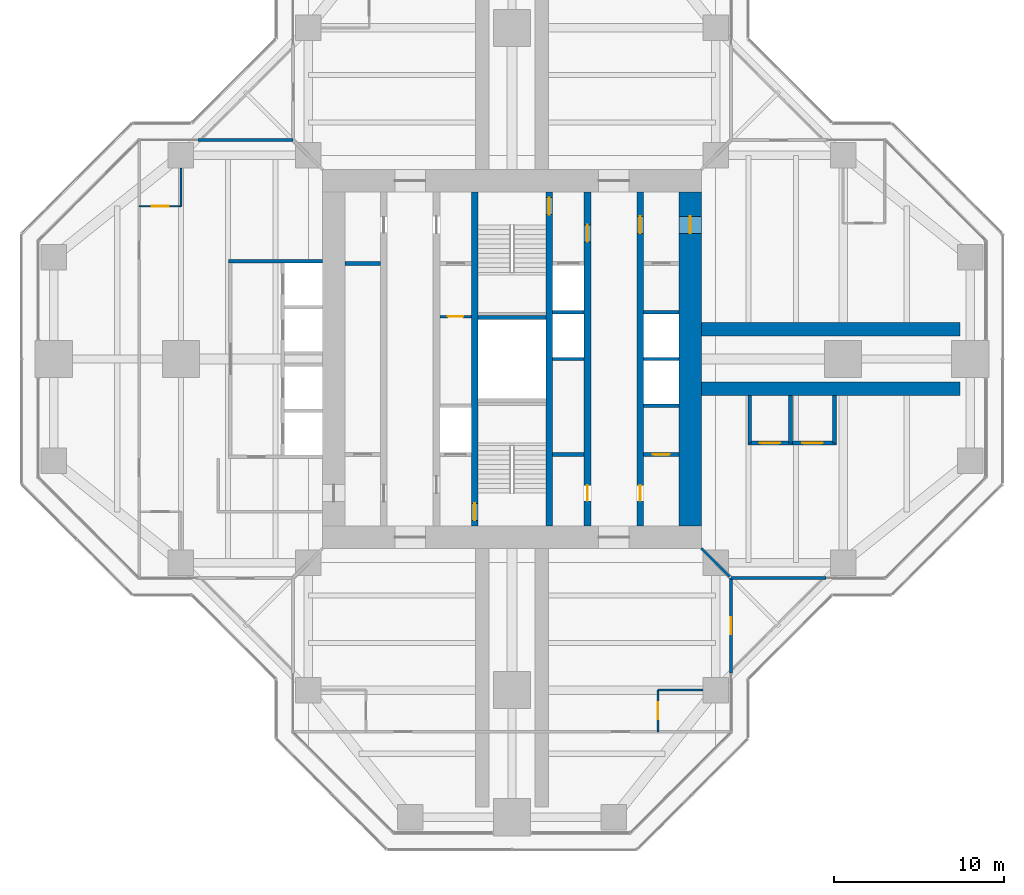
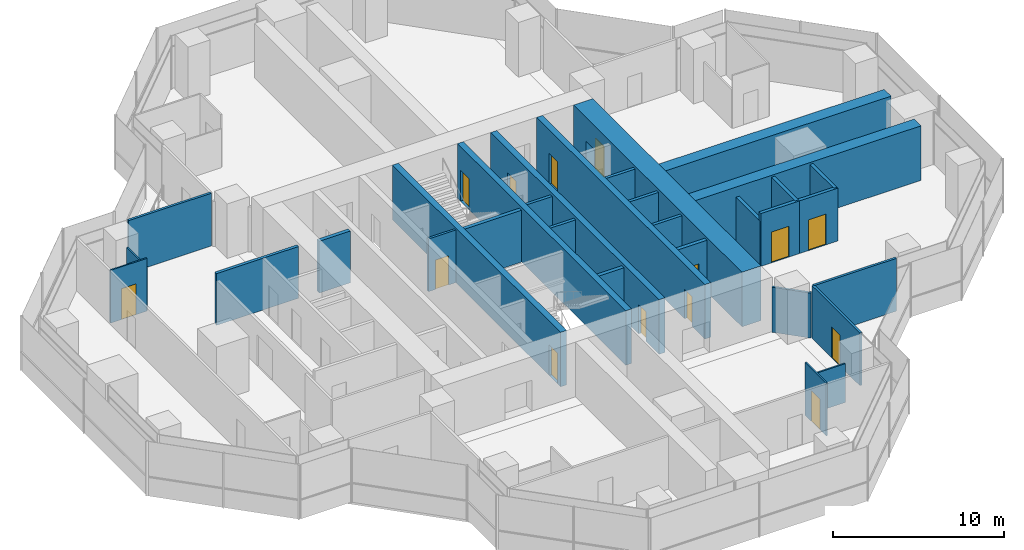
# One storey, part 14 of 17: 31 walls, 14 doors, 14 openings.
"""IFC4 building model written with IfcOpenShell, lengths in metres."""

from ifc_helpers import new_model, si_unit, direction, frame, frame_2d, origin, place, context, subcontext, project, spatial, rectangle, extrude, material, layer, layer_set, type_object, element, fill, save


model = new_model("IFC4")

# Units and contexts
model_context = context("Model", 3, precision=1e-05, world=origin(), true_north=direction((0.0, 1.0)))
body_context = subcontext(model_context, "Body", "Model", "MODEL_VIEW")
ifc_project = project(units=[si_unit("LENGTHUNIT", "METRE"), si_unit("AREAUNIT", "SQUARE_METRE"), si_unit("VOLUMEUNIT", "CUBIC_METRE"), si_unit("PLANEANGLEUNIT", "RADIAN"), si_unit("MASSUNIT", "GRAM", prefix="KILO")], contexts=[model_context])

# Site, building, storey
site_placement = place(None, origin())
site = spatial("IfcSite", under=ifc_project, at=site_placement, CompositionType="ELEMENT")
building_placement = place(site_placement, origin())
building = spatial("IfcBuilding", under=site, at=building_placement, Name="Mizan Broadcast Tower", CompositionType="ELEMENT")
storey_placement = place(building_placement, frame((0.0, 0.0, 247.800048828125)))
storey = spatial("IfcBuildingStorey", under=building, at=storey_placement, Name="L58", CompositionType="ELEMENT", Elevation=247.800048828125)

# Wall, openings, doors
ifc_material_1 = material(Name="Concrete C70/85", Category="concrete")
ifc_layer_1 = layer(ifc_material_1, 0.39990234375)
ifc_layer_set_1 = layer_set([ifc_layer_1], Name="Concrete C70/85")
wall_type_1 = type_object("IfcWallType", Name="CORE INTERNAL WALL 400", PredefinedType="SHEAR", material=ifc_layer_set_1)
wall_1_placement = place(storey_placement, frame((7.550048828125, 9.85009765625, 0.0), z_axis=(0.0, 0.0, 1.0), x_axis=(0.0, -1.0, 0.0)))
wall_1 = element("IfcWall", 1, at=wall_1_placement, inside=storey, type_object=wall_type_1, Name="Core wall CORE/XW1E", PredefinedType="SHEAR", context=body_context, shape_type="SweptSolid", body=[
    extrude(rectangle(XDim=19.7001953125, YDim=0.39990234375, at=frame_2d((9.85009765625, 0.0))), origin(), (0.0, 0.0, 1.0), 3.89990234375),
])
opening_1_placement = place(wall_1_placement, frame((1.449951171875, 0.0, 0.0)))
opening_1 = element("IfcOpeningElement", 2, at=opening_1_placement, cuts=wall_1, Name="Opening D10F", PredefinedType="OPENING", context=body_context, shape_type="SweptSolid", body=[
    extrude(rectangle(XDim=1.0, YDim=2.199951171875, at=frame_2d((0.5, 1.10009765625))), frame((0.0, 0.2099609375, 0.0), z_axis=(0.0, -1.0, 0.0), x_axis=(1.0, 0.0, 0.0)), (0.0, 0.0, 1.0), 0.419921875),
])
opening_2_placement = place(wall_1_placement, frame((17.300048828125, 0.0, 0.0)))
opening_2 = element("IfcOpeningElement", 3, at=opening_2_placement, cuts=wall_1, Name="Opening D09", PredefinedType="OPENING", context=body_context, shape_type="SweptSolid", body=[
    extrude(rectangle(XDim=0.89990234375, YDim=2.10009765625, at=frame_2d((0.449951171875, 1.050048828125))), frame((0.0, 0.2099609375, 0.0), z_axis=(0.0, -1.0, 0.0), x_axis=(1.0, 0.0, 0.0)), (0.0, 0.0, 1.0), 0.419921875),
])
ifc_material_2 = material(Name="Steel door leaf in steel frame", Category="steel")
door_type_1 = type_object("IfcDoorType", Name="FIRE DOOR 1000 FD90", OperationType="SINGLE_SWING_LEFT", PredefinedType="DOOR", material=ifc_material_2)
door_1_placement = place(opening_1_placement, origin())
door_1 = element("IfcDoor", 4, at=door_1_placement, inside=storey, type_object=door_type_1, Name="East core passage door", OperationType="SINGLE_SWING_LEFT", OverallHeight=2.199951171875, OverallWidth=1.0, PredefinedType="DOOR", context=body_context, shape_type="SweptSolid", body=[
    extrude(rectangle(XDim=1.0, YDim=2.199951171875, at=frame_2d((0.5, 1.10009765625))), frame((0.0, 0.02490234375, 0.0), z_axis=(0.0, -1.0, 0.0), x_axis=(1.0, 0.0, 0.0)), (0.0, 0.0, 1.0), 0.050048828125),
])
fill(opening_1, door_1)
ifc_material_3 = material(Name="Timber door leaf in aluminium frame", Category="wood")
door_type_2 = type_object("IfcDoorType", Name="TOILET DOOR 900", OperationType="SINGLE_SWING_LEFT", PredefinedType="DOOR", material=ifc_material_3)
door_2_placement = place(opening_2_placement, origin())
door_2 = element("IfcDoor", 5, at=door_2_placement, inside=storey, type_object=door_type_2, Name="Female WC door", OperationType="SINGLE_SWING_RIGHT", OverallHeight=2.10009765625, OverallWidth=0.89990234375, PredefinedType="DOOR", context=body_context, shape_type="SweptSolid", body=[
    extrude(rectangle(XDim=0.89990234375, YDim=2.10009765625, at=frame_2d((0.449951171875, 1.050048828125))), frame((0.0, 0.02490234375, 0.0), z_axis=(0.0, -1.0, 0.0), x_axis=(1.0, 0.0, 0.0)), (0.0, 0.0, 1.0), 0.050048828125),
])
fill(opening_2, door_2)

wall_2_placement = place(storey_placement, frame((4.449951171875, 9.85009765625, 0.0), z_axis=(0.0, 0.0, 1.0), x_axis=(0.0, -1.0, 0.0)))
wall_2 = element("IfcWall", 6, at=wall_2_placement, inside=storey, type_object=wall_type_1, Name="Core wall CORE/XWHE", PredefinedType="SHEAR", context=body_context, shape_type="SweptSolid", body=[
    extrude(rectangle(XDim=19.7001953125, YDim=0.39990234375, at=frame_2d((9.85009765625, 0.0))), origin(), (0.0, 0.0, 1.0), 3.89990234375),
])
opening_3_placement = place(wall_2_placement, frame((1.949951171875, 0.0, 0.0)))
opening_3 = element("IfcOpeningElement", 7, at=opening_3_placement, cuts=wall_2, Name="Opening D10F", PredefinedType="OPENING", context=body_context, shape_type="SweptSolid", body=[
    extrude(rectangle(XDim=1.0, YDim=2.199951171875, at=frame_2d((0.5, 1.10009765625))), frame((0.0, 0.2099609375, 0.0), z_axis=(0.0, -1.0, 0.0), x_axis=(1.0, 0.0, 0.0)), (0.0, 0.0, 1.0), 0.419921875),
])
opening_4_placement = place(wall_2_placement, frame((17.300048828125, 0.0, 0.0)))
opening_4 = element("IfcOpeningElement", 8, at=opening_4_placement, cuts=wall_2, Name="Opening D09", PredefinedType="OPENING", context=body_context, shape_type="SweptSolid", body=[
    extrude(rectangle(XDim=0.89990234375, YDim=2.10009765625, at=frame_2d((0.449951171875, 1.050048828125))), frame((0.0, 0.2099609375, 0.0), z_axis=(0.0, -1.0, 0.0), x_axis=(1.0, 0.0, 0.0)), (0.0, 0.0, 1.0), 0.419921875),
])
door_3_placement = place(opening_3_placement, origin())
door_3 = element("IfcDoor", 9, at=door_3_placement, inside=storey, type_object=door_type_1, Name="Firefighting lobby B door", OperationType="SINGLE_SWING_LEFT", OverallHeight=2.199951171875, OverallWidth=1.0, PredefinedType="DOOR", context=body_context, shape_type="SweptSolid", body=[
    extrude(rectangle(XDim=1.0, YDim=2.199951171875, at=frame_2d((0.5, 1.10009765625))), frame((0.0, 0.02490234375, 0.0), z_axis=(0.0, -1.0, 0.0), x_axis=(1.0, 0.0, 0.0)), (0.0, 0.0, 1.0), 0.050048828125),
])
fill(opening_3, door_3)
door_4_placement = place(opening_4_placement, origin())
door_4 = element("IfcDoor", 10, at=door_4_placement, inside=storey, type_object=door_type_2, Name="Cleaner's store door", OperationType="SINGLE_SWING_RIGHT", OverallHeight=2.10009765625, OverallWidth=0.89990234375, PredefinedType="DOOR", context=body_context, shape_type="SweptSolid", body=[
    extrude(rectangle(XDim=0.89990234375, YDim=2.10009765625, at=frame_2d((0.449951171875, 1.050048828125))), frame((0.0, 0.02490234375, 0.0), z_axis=(0.0, -1.0, 0.0), x_axis=(1.0, 0.0, 0.0)), (0.0, 0.0, 1.0), 0.050048828125),
])
fill(opening_4, door_4)

# Wall, opening, door
wall_3_placement = place(storey_placement, frame((-2.199951171875, -9.85009765625, 0.0), z_axis=(0.0, 0.0, 1.0), x_axis=(0.0, 1.0, 0.0)))
wall_3 = element("IfcWall", 11, at=wall_3_placement, inside=storey, type_object=wall_type_1, Name="Core wall CORE/XW2", PredefinedType="SHEAR", context=body_context, shape_type="SweptSolid", body=[
    extrude(rectangle(XDim=19.7001953125, YDim=0.39990234375, at=frame_2d((9.85009765625, 0.0))), origin(), (0.0, 0.0, 1.0), 3.89990234375),
])
opening_5_placement = place(wall_3_placement, frame((0.35009765625, 0.0, 0.0)))
opening_5 = element("IfcOpeningElement", 12, at=opening_5_placement, cuts=wall_3, Name="Opening D10S", PredefinedType="OPENING", context=body_context, shape_type="SweptSolid", body=[
    extrude(rectangle(XDim=1.0, YDim=2.199951171875, at=frame_2d((0.5, 1.10009765625))), frame((0.0, 0.2099609375, 0.0), z_axis=(0.0, -1.0, 0.0), x_axis=(1.0, 0.0, 0.0)), (0.0, 0.0, 1.0), 0.419921875),
])
ifc_material_4 = material(Name="Steel door leaf in steel frame", Category="steel")
door_type_3 = type_object("IfcDoorType", Name="STAIR DOOR 1000 FD90S", OperationType="SINGLE_SWING_RIGHT", PredefinedType="DOOR", material=ifc_material_4)
door_5_placement = place(opening_5_placement, origin())
door_5 = element("IfcDoor", 13, at=door_5_placement, inside=storey, type_object=door_type_3, Name="Stair A door", OperationType="SINGLE_SWING_RIGHT", OverallHeight=2.199951171875, OverallWidth=1.0, PredefinedType="DOOR", context=body_context, shape_type="SweptSolid", body=[
    extrude(rectangle(XDim=1.0, YDim=2.199951171875, at=frame_2d((0.5, 1.10009765625))), frame((0.0, 0.02490234375, 0.0), z_axis=(0.0, -1.0, 0.0), x_axis=(1.0, 0.0, 0.0)), (0.0, 0.0, 1.0), 0.050048828125),
])
fill(opening_5, door_5)

wall_4_placement = place(storey_placement, frame((2.199951171875, 9.85009765625, 0.0), z_axis=(0.0, 0.0, 1.0), x_axis=(0.0, -1.0, 0.0)))
wall_4 = element("IfcWall", 14, at=wall_4_placement, inside=storey, type_object=wall_type_1, Name="Core wall CORE/XW2E", PredefinedType="SHEAR", context=body_context, shape_type="SweptSolid", body=[
    extrude(rectangle(XDim=19.7001953125, YDim=0.39990234375, at=frame_2d((9.85009765625, 0.0))), origin(), (0.0, 0.0, 1.0), 3.89990234375),
])
opening_6_placement = place(wall_4_placement, frame((0.35009765625, 0.0, 0.0)))
opening_6 = element("IfcOpeningElement", 15, at=opening_6_placement, cuts=wall_4, Name="Opening D10S", PredefinedType="OPENING", context=body_context, shape_type="SweptSolid", body=[
    extrude(rectangle(XDim=1.0, YDim=2.199951171875, at=frame_2d((0.5, 1.10009765625))), frame((0.0, 0.2099609375, 0.0), z_axis=(0.0, -1.0, 0.0), x_axis=(1.0, 0.0, 0.0)), (0.0, 0.0, 1.0), 0.419921875),
])
door_6_placement = place(opening_6_placement, origin())
door_6 = element("IfcDoor", 16, at=door_6_placement, inside=storey, type_object=door_type_3, Name="Stair B door", OperationType="SINGLE_SWING_RIGHT", OverallHeight=2.199951171875, OverallWidth=1.0, PredefinedType="DOOR", context=body_context, shape_type="SweptSolid", body=[
    extrude(rectangle(XDim=1.0, YDim=2.199951171875, at=frame_2d((0.5, 1.10009765625))), frame((0.0, 0.02490234375, 0.0), z_axis=(0.0, -1.0, 0.0), x_axis=(1.0, 0.0, 0.0)), (0.0, 0.0, 1.0), 0.050048828125),
])
fill(opening_6, door_6)

ifc_material_5 = material(Name="Concrete blockwork", Category="masonry")
ifc_layer_2 = layer(ifc_material_5, 0.14990234375)
ifc_layer_set_2 = layer_set([ifc_layer_2], Name="Concrete blockwork")
wall_type_2 = type_object("IfcWallType", Name="CORE PARTITION 150", PredefinedType="SOLIDWALL", material=ifc_layer_set_2)
wall_5_placement = place(storey_placement, frame((-4.25, 2.5, 0.0), z_axis=(0.0, 0.0, 1.0), x_axis=(1.0, 0.0, 0.0)))
wall_5 = element("IfcWall", 17, at=wall_5_placement, inside=storey, type_object=wall_type_2, Name="Core partition CORE/XP2", PredefinedType="SOLIDWALL", context=body_context, shape_type="SweptSolid", body=[
    extrude(rectangle(XDim=1.85009765625, YDim=0.14990234375, at=frame_2d((0.925048828125, 0.0))), origin(), (0.0, 0.0, 1.0), 3.77001953125),
])
opening_7_placement = place(wall_5_placement, frame((0.47509765625, 0.0, 0.0)))
opening_7 = element("IfcOpeningElement", 18, at=opening_7_placement, cuts=wall_5, Name="Opening D09F", PredefinedType="OPENING", context=body_context, shape_type="SweptSolid", body=[
    extrude(rectangle(XDim=0.89990234375, YDim=2.10009765625, at=frame_2d((0.449951171875, 1.050048828125))), frame((0.0, 0.0849609375, 0.0), z_axis=(0.0, -1.0, 0.0), x_axis=(1.0, 0.0, 0.0)), (0.0, 0.0, 1.0), 0.169921875),
])
ifc_material_6 = material(Name="Steel door leaf in steel frame", Category="steel")
door_type_4 = type_object("IfcDoorType", Name="CORE ROOM DOOR 900 FD90", OperationType="SINGLE_SWING_LEFT", PredefinedType="DOOR", material=ifc_material_6)
door_7_placement = place(opening_7_placement, origin())
door_7 = element("IfcDoor", 19, at=door_7_placement, inside=storey, type_object=door_type_4, Name="Shower store door", OperationType="SINGLE_SWING_RIGHT", OverallHeight=2.10009765625, OverallWidth=0.89990234375, PredefinedType="DOOR", context=body_context, shape_type="SweptSolid", body=[
    extrude(rectangle(XDim=0.89990234375, YDim=2.10009765625, at=frame_2d((0.449951171875, 1.050048828125))), frame((0.0, 0.02490234375, 0.0), z_axis=(0.0, -1.0, 0.0), x_axis=(1.0, 0.0, 0.0)), (0.0, 0.0, 1.0), 0.050048828125),
])
fill(opening_7, door_7)

ifc_material_7 = material(Name="Concrete C70/85", Category="concrete")
ifc_layer_3 = layer(ifc_material_7, 1.300048828125)
ifc_layer_set_3 = layer_set([ifc_layer_3], Name="Concrete C70/85")
wall_type_3 = type_object("IfcWallType", Name="CORE WALL 1300", PredefinedType="SHEAR", material=ifc_layer_set_3)
wall_6_placement = place(storey_placement, frame((10.5, -9.85009765625, 0.0), z_axis=(0.0, 0.0, 1.0), x_axis=(0.0, 1.0, 0.0)))
wall_6 = element("IfcWall", 20, at=wall_6_placement, inside=storey, type_object=wall_type_3, Name="Core wall E L58", PredefinedType="SHEAR", context=body_context, shape_type="SweptSolid", body=[
    extrude(rectangle(XDim=19.7001953125, YDim=1.300048828125, at=frame_2d((9.85009765625, 0.0))), origin(), (0.0, 0.0, 1.0), 3.89990234375),
])
opening_8_placement = place(wall_6_placement, frame((17.25, 0.0, 0.0)))
opening_8 = element("IfcOpeningElement", 21, at=opening_8_placement, cuts=wall_6, Name="Opening D10F", PredefinedType="OPENING", context=body_context, shape_type="SweptSolid", body=[
    extrude(rectangle(XDim=1.0, YDim=2.199951171875, at=frame_2d((0.5, 1.10009765625))), frame((0.0, 0.659912109375, 0.0), z_axis=(0.0, -1.0, 0.0), x_axis=(1.0, 0.0, 0.0)), (0.0, 0.0, 1.0), 1.320068359375),
])
door_8_placement = place(opening_8_placement, origin())
door_8 = element("IfcDoor", 22, at=door_8_placement, inside=storey, type_object=door_type_1, Name="East core passage arm door", OperationType="SINGLE_SWING_RIGHT", OverallHeight=2.199951171875, OverallWidth=1.0, PredefinedType="DOOR", context=body_context, shape_type="SweptSolid", body=[
    extrude(rectangle(XDim=1.0, YDim=2.199951171875, at=frame_2d((0.5, 1.10009765625))), frame((0.0, 0.02490234375, 0.0), z_axis=(0.0, -1.0, 0.0), x_axis=(1.0, 0.0, 0.0)), (0.0, 0.0, 1.0), 0.050048828125),
])
fill(opening_8, door_8)

# Walls
ifc_material_8 = material(Name="Aluminium framed glazed screen", Category="aluminium")
ifc_layer_4 = layer(ifc_material_8, 0.159912109375)
ifc_layer_set_4 = layer_set([ifc_layer_4], Name="Aluminium framed glazed screen")
wall_type_4 = type_object("IfcWallType", Name="GLAZED SCREEN WALL 160", PredefinedType="SOLIDWALL", material=ifc_layer_set_4)
for number, where, z_axis, x_axis, name in (
    (23, (12.89990234375, -12.89990234375, 0.0), (0.0, 0.0, 1.0), (1.0, 0.0, 0.0), "Winter garden screen L58 E"),
    (24, (-12.89990234375, 12.89990234375, 0.0), (0.0, 0.0, 1.0), (-1.0, 0.0, 0.0), "Winter garden screen L58 W"),
):
    element("IfcWall", number, at=place(storey_placement, frame(where, z_axis=z_axis, x_axis=x_axis)), inside=storey, type_object=wall_type_4, Name=name, PredefinedType="SOLIDWALL", context=body_context, shape_type="SweptSolid", body=[
        extrude(rectangle(XDim=5.60009765625, YDim=0.159912109375, at=frame_2d((2.800048828125, 0.0))), origin(), (0.0, 0.0, 1.0), 3.77001953125),
    ])

# Wall, opening, door
wall_7_placement = place(storey_placement, frame((12.89990234375, -18.5, 0.0), z_axis=(0.0, 0.0, 1.0), x_axis=(0.0, 1.0, 0.0)))
wall_7 = element("IfcWall", 25, at=wall_7_placement, inside=storey, type_object=wall_type_4, Name="Winter garden screen L58 S", PredefinedType="SOLIDWALL", context=body_context, shape_type="SweptSolid", body=[
    extrude(rectangle(XDim=5.60009765625, YDim=0.159912109375, at=frame_2d((2.800048828125, 0.0))), origin(), (0.0, 0.0, 1.0), 3.77001953125),
])
opening_9_placement = place(wall_7_placement, frame((2.300048828125, 0.0, 0.0)))
opening_9 = element("IfcOpeningElement", 26, at=opening_9_placement, cuts=wall_7, Name="Opening WGD", PredefinedType="OPENING", context=body_context, shape_type="SweptSolid", body=[
    extrude(rectangle(XDim=1.0, YDim=2.199951171875, at=frame_2d((0.5, 1.10009765625))), frame((0.0, 0.08984375, 0.0), z_axis=(0.0, -1.0, 0.0), x_axis=(1.0, 0.0, 0.0)), (0.0, 0.0, 1.0), 0.179931640625),
])
ifc_material_9 = material(Name="Aluminium framed glazed door", Category="aluminium")
door_type_5 = type_object("IfcDoorType", Name="WINTER GARDEN DOOR 1000 GLAZED", OperationType="SINGLE_SWING_LEFT", PredefinedType="DOOR", material=ifc_material_9)
door_9_placement = place(opening_9_placement, origin())
door_9 = element("IfcDoor", 27, at=door_9_placement, inside=storey, type_object=door_type_5, Name="Winter garden door L58 S", OperationType="SINGLE_SWING_RIGHT", OverallHeight=2.199951171875, OverallWidth=1.0, PredefinedType="DOOR", context=body_context, shape_type="SweptSolid", body=[
    extrude(rectangle(XDim=1.0, YDim=2.199951171875, at=frame_2d((0.5, 1.10009765625))), frame((0.0, 0.02490234375, 0.0), z_axis=(0.0, -1.0, 0.0), x_axis=(1.0, 0.0, 0.0)), (0.0, 0.0, 1.0), 0.050048828125),
])
fill(opening_9, door_9)

# Walls
ifc_material_10 = material(Name="Concrete blockwork", Category="masonry")
ifc_layer_5 = layer(ifc_material_10, 0.199951171875)
ifc_layer_set_5 = layer_set([ifc_layer_5], Name="Concrete blockwork")
wall_type_5 = type_object("IfcWallType", Name="LIFT SHAFT WALL 200", PredefinedType="SOLIDWALL", material=ifc_layer_set_5)
wall_8_placement = place(storey_placement, frame((7.75, -2.75, 0.0), z_axis=(0.0, 0.0, 1.0), x_axis=(1.0, 0.0, 0.0)))
element("IfcWall", 28, at=wall_8_placement, inside=storey, type_object=wall_type_5, Name="Lift shaft wall CORE/SE1-1", PredefinedType="SOLIDWALL", context=body_context, shape_type="SweptSolid", body=[
    extrude(rectangle(XDim=2.10009765625, YDim=0.199951171875, at=frame_2d((1.050048828125, 0.0))), origin(), (0.0, 0.0, 1.0), 3.699951171875),
])
wall_9_placement = place(storey_placement, frame((2.39990234375, 0.0, 0.0), z_axis=(0.0, 0.0, 1.0), x_axis=(1.0, 0.0, 0.0)))
element("IfcWall", 29, at=wall_9_placement, inside=storey, type_object=wall_type_5, Name="Lift shaft wall CORE/SE2-2", PredefinedType="SOLIDWALL", context=body_context, shape_type="SweptSolid", body=[
    extrude(rectangle(XDim=1.85009765625, YDim=0.199951171875, at=frame_2d((0.925048828125, 0.0))), origin(), (0.0, 0.0, 1.0), 3.699951171875),
])
wall_10_placement = place(storey_placement, frame((7.75, 0.0, 0.0), z_axis=(0.0, 0.0, 1.0), x_axis=(1.0, 0.0, 0.0)))
element("IfcWall", 30, at=wall_10_placement, inside=storey, type_object=wall_type_5, Name="Lift shaft wall CORE/SE1-2", PredefinedType="SOLIDWALL", context=body_context, shape_type="SweptSolid", body=[
    extrude(rectangle(XDim=2.10009765625, YDim=0.199951171875, at=frame_2d((1.050048828125, 0.0))), origin(), (0.0, 0.0, 1.0), 3.699951171875),
])
wall_11_placement = place(storey_placement, frame((2.39990234375, 2.75, 0.0), z_axis=(0.0, 0.0, 1.0), x_axis=(1.0, 0.0, 0.0)))
element("IfcWall", 31, at=wall_11_placement, inside=storey, type_object=wall_type_5, Name="Lift shaft wall CORE/SE2-3", PredefinedType="SOLIDWALL", context=body_context, shape_type="SweptSolid", body=[
    extrude(rectangle(XDim=1.85009765625, YDim=0.199951171875, at=frame_2d((0.925048828125, 0.0))), origin(), (0.0, 0.0, 1.0), 3.699951171875),
])
wall_12_placement = place(storey_placement, frame((7.75, 2.75, 0.0), z_axis=(0.0, 0.0, 1.0), x_axis=(1.0, 0.0, 0.0)))
element("IfcWall", 32, at=wall_12_placement, inside=storey, type_object=wall_type_5, Name="Lift shaft wall CORE/SE1-3", PredefinedType="SOLIDWALL", context=body_context, shape_type="SweptSolid", body=[
    extrude(rectangle(XDim=2.10009765625, YDim=0.199951171875, at=frame_2d((1.050048828125, 0.0))), origin(), (0.0, 0.0, 1.0), 3.699951171875),
])
wall_13_placement = place(storey_placement, frame((-11.14990234375, 5.75, 0.0), z_axis=(0.0, 0.0, 1.0), x_axis=(-1.0, 0.0, 0.0)))
element("IfcWall", 33, at=wall_13_placement, inside=storey, type_object=wall_type_5, Name="Lift shaft wall LC/S1", PredefinedType="SOLIDWALL", context=body_context, shape_type="SweptSolid", body=[
    extrude(rectangle(XDim=5.550048828125, YDim=0.199951171875, at=frame_2d((2.77490234375, 0.0))), origin(), (0.0, 0.0, 1.0), 3.699951171875),
])
ifc_material_11 = material(Name="Concrete blockwork", Category="masonry")
ifc_layer_6 = layer(ifc_material_11, 0.25)
ifc_layer_set_6 = layer_set([ifc_layer_6], Name="Concrete blockwork")
wall_type_6 = type_object("IfcWallType", Name="LOBBY ENCLOSURE WALL 250", PredefinedType="SOLIDWALL", material=ifc_layer_set_6)
wall_14_placement = place(storey_placement, frame((-9.85009765625, 5.625, 0.0), z_axis=(0.0, 0.0, 1.0), x_axis=(1.0, 0.0, 0.0)))
element("IfcWall", 34, at=wall_14_placement, inside=storey, type_object=wall_type_6, Name="Lobby enclosure wall CORE/BW1N", PredefinedType="SOLIDWALL", context=body_context, shape_type="SweptSolid", body=[
    extrude(rectangle(XDim=2.10009765625, YDim=0.25, at=frame_2d((1.050048828125, 0.0))), origin(), (0.0, 0.0, 1.0), 3.699951171875),
])
wall_15_placement = place(storey_placement, frame((2.39990234375, -5.625, 0.0), z_axis=(0.0, 0.0, 1.0), x_axis=(1.0, 0.0, 0.0)))
element("IfcWall", 35, at=wall_15_placement, inside=storey, type_object=wall_type_6, Name="Lobby enclosure wall CORE/BE2S", PredefinedType="SOLIDWALL", context=body_context, shape_type="SweptSolid", body=[
    extrude(rectangle(XDim=1.85009765625, YDim=0.25, at=frame_2d((0.925048828125, 0.0))), origin(), (0.0, 0.0, 1.0), 3.699951171875),
])

# Wall, opening, door
wall_16_placement = place(storey_placement, frame((7.75, -5.625, 0.0), z_axis=(0.0, 0.0, 1.0), x_axis=(1.0, 0.0, 0.0)))
wall_16 = element("IfcWall", 36, at=wall_16_placement, inside=storey, type_object=wall_type_6, Name="Lobby enclosure wall CORE/BE1S", PredefinedType="SOLIDWALL", context=body_context, shape_type="SweptSolid", body=[
    extrude(rectangle(XDim=2.10009765625, YDim=0.25, at=frame_2d((1.050048828125, 0.0))), origin(), (0.0, 0.0, 1.0), 3.699951171875),
])
opening_10_placement = place(wall_16_placement, frame((0.550048828125, 0.0, 0.0)))
opening_10 = element("IfcOpeningElement", 37, at=opening_10_placement, cuts=wall_16, Name="Opening D10F", PredefinedType="OPENING", context=body_context, shape_type="SweptSolid", body=[
    extrude(rectangle(XDim=1.0, YDim=2.199951171875, at=frame_2d((0.5, 1.10009765625))), frame((0.0, 0.135009765625, 0.0), z_axis=(0.0, -1.0, 0.0), x_axis=(1.0, 0.0, 0.0)), (0.0, 0.0, 1.0), 0.27001953125),
])
door_10_placement = place(opening_10_placement, origin())
door_10 = element("IfcDoor", 38, at=door_10_placement, inside=storey, type_object=door_type_1, Name="Staff locker room door", OperationType="SINGLE_SWING_LEFT", OverallHeight=2.199951171875, OverallWidth=1.0, PredefinedType="DOOR", context=body_context, shape_type="SweptSolid", body=[
    extrude(rectangle(XDim=1.0, YDim=2.199951171875, at=frame_2d((0.5, 1.10009765625))), frame((0.0, 0.02490234375, 0.0), z_axis=(0.0, -1.0, 0.0), x_axis=(1.0, 0.0, 0.0)), (0.0, 0.0, 1.0), 0.050048828125),
])
fill(opening_10, door_10)

# Walls
wall_17_placement = place(storey_placement, frame((-2.0, 2.449951171875, 0.0), z_axis=(0.0, 0.0, 1.0), x_axis=(1.0, 0.0, 0.0)))
element("IfcWall", 39, at=wall_17_placement, inside=storey, type_object=wall_type_6, Name="Lobby enclosure wall CORE/STB", PredefinedType="SOLIDWALL", context=body_context, shape_type="SweptSolid", body=[
    extrude(rectangle(XDim=4.0, YDim=0.25, at=frame_2d((2.0, 0.0))), origin(), (0.0, 0.0, 1.0), 3.699951171875),
])
ifc_material_12 = material(Name="Gypsum board on steel studs", Category="steel")
ifc_layer_7 = layer(ifc_material_12, 0.14990234375)
ifc_layer_set_7 = layer_set([ifc_layer_7], Name="Gypsum board on steel studs")
wall_type_7 = type_object("IfcWallType", Name="PARTITION 150", PredefinedType="PARTITIONING", material=ifc_layer_set_7)
wall_18_placement = place(storey_placement, frame((11.14990234375, -11.14990234375, 0.0), z_axis=(0.0, 0.0, 1.0), x_axis=(0.707106781187, -0.707106781187, 0.0)))
element("IfcWall", 40, at=wall_18_placement, inside=storey, type_object=wall_type_7, Name="Partition PT/DGES", PredefinedType="PARTITIONING", context=body_context, shape_type="SweptSolid", body=[
    extrude(rectangle(XDim=2.362060546875, YDim=0.14990234375, at=frame_2d((1.18115234375, 0.0))), origin(), (0.0, 0.0, 1.0), 3.219970703125),
])
ifc_material_13 = material(Name="Twin steel stud acoustic partition, four layers of gypsum board", Category="steel")
ifc_layer_8 = layer(ifc_material_13, 0.22509765625)
ifc_layer_set_8 = layer_set([ifc_layer_8], Name="Twin steel stud acoustic partition, four layers of gypsum board")
wall_type_8 = type_object("IfcWallType", Name="PARTITION ACOUSTIC 225", PredefinedType="PARTITIONING", material=ifc_layer_set_8)
wall_19_placement = place(storey_placement, frame((14.0, -2.14990234375, 0.0), z_axis=(0.0, 0.0, 1.0), x_axis=(0.0, -1.0, 0.0)))
element("IfcWall", 41, at=wall_19_placement, inside=storey, type_object=wall_type_8, Name="Acoustic partition PT/EKN0a", PredefinedType="PARTITIONING", context=body_context, shape_type="SweptSolid", body=[
    extrude(rectangle(XDim=2.800048828125, YDim=0.22509765625, at=frame_2d((1.39990234375, 0.0))), origin(), (0.0, 0.0, 1.0), 3.179931640625),
])
wall_20_placement = place(storey_placement, frame((16.39990234375, -2.14990234375, 0.0), z_axis=(0.0, 0.0, 1.0), x_axis=(0.0, -1.0, 0.0)))
element("IfcWall", 42, at=wall_20_placement, inside=storey, type_object=wall_type_8, Name="Acoustic partition PT/EKN0b", PredefinedType="PARTITIONING", context=body_context, shape_type="SweptSolid", body=[
    extrude(rectangle(XDim=2.800048828125, YDim=0.22509765625, at=frame_2d((1.39990234375, 0.0))), origin(), (0.0, 0.0, 1.0), 3.77001953125),
])

# Wall, opening, door
wall_21_placement = place(storey_placement, frame((13.887451171875, -4.949951171875, 0.0), z_axis=(0.0, 0.0, 1.0), x_axis=(1.0, 0.0, 0.0)))
wall_21 = element("IfcWall", 43, at=wall_21_placement, inside=storey, type_object=wall_type_8, Name="Acoustic partition PT/EKN0f", PredefinedType="PARTITIONING", context=body_context, shape_type="SweptSolid", body=[
    extrude(rectangle(XDim=2.625, YDim=0.22509765625, at=frame_2d((1.3125, 0.0))), origin(), (0.0, 0.0, 1.0), 3.77001953125),
])
opening_11_placement = place(wall_21_placement, frame((0.71240234375, 0.0, 0.0)))
opening_11 = element("IfcOpeningElement", 44, at=opening_11_placement, cuts=wall_21, Name="Opening D12A", PredefinedType="OPENING", context=body_context, shape_type="SweptSolid", body=[
    extrude(rectangle(XDim=1.199951171875, YDim=2.199951171875, at=frame_2d((0.60009765625, 1.10009765625))), frame((0.0, 0.12255859375, 0.0), z_axis=(0.0, -1.0, 0.0), x_axis=(1.0, 0.0, 0.0)), (0.0, 0.0, 1.0), 0.2451171875),
])
ifc_material_14 = material(Name="Timber door leaf in aluminium frame", Category="wood")
door_type_6 = type_object("IfcDoorType", Name="ACOUSTIC DOOR 1200", OperationType="SINGLE_SWING_LEFT", PredefinedType="DOOR", material=ifc_material_14)
door_11_placement = place(opening_11_placement, origin())
door_11 = element("IfcDoor", 45, at=door_11_placement, inside=storey, type_object=door_type_6, Name="Translation booth door", OperationType="SINGLE_SWING_LEFT", OverallHeight=2.199951171875, OverallWidth=1.199951171875, PredefinedType="DOOR", context=body_context, shape_type="SweptSolid", body=[
    extrude(rectangle(XDim=1.199951171875, YDim=2.199951171875, at=frame_2d((0.60009765625, 1.10009765625))), frame((0.0, 0.02490234375, 0.0), z_axis=(0.0, -1.0, 0.0), x_axis=(1.0, 0.0, 0.0)), (0.0, 0.0, 1.0), 0.050048828125),
])
fill(opening_11, door_11)

# Wall
wall_22_placement = place(storey_placement, frame((19.0, -2.14990234375, 0.0), z_axis=(0.0, 0.0, 1.0), x_axis=(0.0, -1.0, 0.0)))
element("IfcWall", 46, at=wall_22_placement, inside=storey, type_object=wall_type_8, Name="Acoustic partition PT/EKN1b", PredefinedType="PARTITIONING", context=body_context, shape_type="SweptSolid", body=[
    extrude(rectangle(XDim=2.800048828125, YDim=0.22509765625, at=frame_2d((1.39990234375, 0.0))), origin(), (0.0, 0.0, 1.0), 3.77001953125),
])

# Wall, opening, door
wall_23_placement = place(storey_placement, frame((16.512451171875, -4.949951171875, 0.0), z_axis=(0.0, 0.0, 1.0), x_axis=(1.0, 0.0, 0.0)))
wall_23 = element("IfcWall", 47, at=wall_23_placement, inside=storey, type_object=wall_type_8, Name="Acoustic partition PT/EKN1f", PredefinedType="PARTITIONING", context=body_context, shape_type="SweptSolid", body=[
    extrude(rectangle(XDim=2.60009765625, YDim=0.22509765625, at=frame_2d((1.300048828125, 0.0))), origin(), (0.0, 0.0, 1.0), 3.77001953125),
])
opening_12_placement = place(wall_23_placement, frame((0.58740234375, 0.0, 0.0)))
opening_12 = element("IfcOpeningElement", 48, at=opening_12_placement, cuts=wall_23, Name="Opening D12A", PredefinedType="OPENING", context=body_context, shape_type="SweptSolid", body=[
    extrude(rectangle(XDim=1.199951171875, YDim=2.199951171875, at=frame_2d((0.60009765625, 1.10009765625))), frame((0.0, 0.12255859375, 0.0), z_axis=(0.0, -1.0, 0.0), x_axis=(1.0, 0.0, 0.0)), (0.0, 0.0, 1.0), 0.2451171875),
])
door_12_placement = place(opening_12_placement, origin())
door_12 = element("IfcDoor", 49, at=door_12_placement, inside=storey, type_object=door_type_6, Name="Translation booth door", OperationType="SINGLE_SWING_LEFT", OverallHeight=2.199951171875, OverallWidth=1.199951171875, PredefinedType="DOOR", context=body_context, shape_type="SweptSolid", body=[
    extrude(rectangle(XDim=1.199951171875, YDim=2.199951171875, at=frame_2d((0.60009765625, 1.10009765625))), frame((0.0, 0.02490234375, 0.0), z_axis=(0.0, -1.0, 0.0), x_axis=(1.0, 0.0, 0.0)), (0.0, 0.0, 1.0), 0.050048828125),
])
fill(opening_12, door_12)

ifc_material_15 = material(Name="Glazed aluminium partition on aluminium track", Category="aluminium")
ifc_layer_9 = layer(ifc_material_15, 0.10009765625)
ifc_layer_set_9 = layer_set([ifc_layer_9], Name="Glazed aluminium partition on aluminium track")
wall_type_9 = type_object("IfcWallType", Name="PARTITION GLAZED OFFICE FRONT 100", PredefinedType="PARTITIONING", material=ifc_layer_set_9)
wall_24_placement = place(storey_placement, frame((-19.5, 9.0, 0.0), z_axis=(0.0, 0.0, 1.0), x_axis=(-1.0, 0.0, 0.0)))
wall_24 = element("IfcWall", 50, at=wall_24_placement, inside=storey, type_object=wall_type_9, Name="Glazed office front PT/WCN0", PredefinedType="PARTITIONING", context=body_context, shape_type="SweptSolid", body=[
    extrude(rectangle(XDim=2.458984375, YDim=0.10009765625, at=frame_2d((1.2294921875, 0.0))), origin(), (0.0, 0.0, 1.0), 3.77001953125),
])
opening_13_placement = place(wall_24_placement, frame((0.7294921875, 0.0, 0.0)))
opening_13 = element("IfcOpeningElement", 51, at=opening_13_placement, cuts=wall_24, Name="Opening D10O", PredefinedType="OPENING", context=body_context, shape_type="SweptSolid", body=[
    extrude(rectangle(XDim=1.0, YDim=2.199951171875, at=frame_2d((0.5, 1.10009765625))), frame((0.0, 0.06005859375, 0.0), z_axis=(0.0, -1.0, 0.0), x_axis=(1.0, 0.0, 0.0)), (0.0, 0.0, 1.0), 0.1201171875),
])
ifc_material_16 = material(Name="Timber door leaf in aluminium frame", Category="wood")
door_type_7 = type_object("IfcDoorType", Name="OFFICE DOOR 1000 GLAZED", OperationType="SINGLE_SWING_LEFT", PredefinedType="DOOR", material=ifc_material_16)
door_13_placement = place(opening_13_placement, origin())
door_13 = element("IfcDoor", 52, at=door_13_placement, inside=storey, type_object=door_type_7, Name="Pantry door", OperationType="SINGLE_SWING_LEFT", OverallHeight=2.199951171875, OverallWidth=1.0, PredefinedType="DOOR", context=body_context, shape_type="SweptSolid", body=[
    extrude(rectangle(XDim=1.0, YDim=2.199951171875, at=frame_2d((0.5, 1.10009765625))), frame((0.0, 0.02490234375, 0.0), z_axis=(0.0, -1.0, 0.0), x_axis=(1.0, 0.0, 0.0)), (0.0, 0.0, 1.0), 0.050048828125),
])
fill(opening_13, door_13)

# Wall
wall_25_placement = place(storey_placement, frame((-19.5, 9.0, 0.0), z_axis=(0.0, 0.0, 1.0), x_axis=(0.0, 1.0, 0.0)))
element("IfcWall", 53, at=wall_25_placement, inside=storey, type_object=wall_type_9, Name="Glazed office front PT/WQN1950", PredefinedType="PARTITIONING", context=body_context, shape_type="SweptSolid", body=[
    extrude(rectangle(XDim=2.25, YDim=0.10009765625, at=frame_2d((1.125, 0.0))), origin(), (0.0, 0.0, 1.0), 3.179931640625),
])

# Wall, opening, door
wall_26_placement = place(storey_placement, frame((8.60009765625, -19.5, 0.0), z_axis=(0.0, 0.0, 1.0), x_axis=(0.0, -1.0, 0.0)))
wall_26 = element("IfcWall", 54, at=wall_26_placement, inside=storey, type_object=wall_type_9, Name="Glazed office front PT/SCP0", PredefinedType="PARTITIONING", context=body_context, shape_type="SweptSolid", body=[
    extrude(rectangle(XDim=2.458984375, YDim=0.10009765625, at=frame_2d((1.2294921875, 0.0))), origin(), (0.0, 0.0, 1.0), 3.77001953125),
])
opening_14_placement = place(wall_26_placement, frame((0.7294921875, 0.0, 0.0)))
opening_14 = element("IfcOpeningElement", 55, at=opening_14_placement, cuts=wall_26, Name="Opening D10O", PredefinedType="OPENING", context=body_context, shape_type="SweptSolid", body=[
    extrude(rectangle(XDim=1.0, YDim=2.199951171875, at=frame_2d((0.5, 1.10009765625))), frame((0.0, 0.06005859375, 0.0), z_axis=(0.0, -1.0, 0.0), x_axis=(1.0, 0.0, 0.0)), (0.0, 0.0, 1.0), 0.1201171875),
])
door_14_placement = place(opening_14_placement, origin())
door_14 = element("IfcDoor", 56, at=door_14_placement, inside=storey, type_object=door_type_7, Name="Correspondent's office door", OperationType="SINGLE_SWING_LEFT", OverallHeight=2.199951171875, OverallWidth=1.0, PredefinedType="DOOR", context=body_context, shape_type="SweptSolid", body=[
    extrude(rectangle(XDim=1.0, YDim=2.199951171875, at=frame_2d((0.5, 1.10009765625))), frame((0.0, 0.02490234375, 0.0), z_axis=(0.0, -1.0, 0.0), x_axis=(1.0, 0.0, 0.0)), (0.0, 0.0, 1.0), 0.050048828125),
])
fill(opening_14, door_14)

# Walls
wall_27_placement = place(storey_placement, frame((8.60009765625, -19.5, 0.0), z_axis=(0.0, 0.0, 1.0), x_axis=(1.0, 0.0, 0.0)))
element("IfcWall", 57, at=wall_27_placement, inside=storey, type_object=wall_type_9, Name="Glazed office front PT/SQP1950", PredefinedType="PARTITIONING", context=body_context, shape_type="SweptSolid", body=[
    extrude(rectangle(XDim=2.64990234375, YDim=0.10009765625, at=frame_2d((1.324951171875, 0.0))), origin(), (0.0, 0.0, 1.0), 2.77001953125),
])
ifc_material_17 = material(Name="Concrete C70/85", Category="concrete")
ifc_layer_10 = layer(ifc_material_17, 0.800048828125)
ifc_layer_set_10 = layer_set([ifc_layer_10], Name="Concrete C70/85")
wall_type_10 = type_object("IfcWallType", Name="SPINE WALL 800", PredefinedType="SHEAR", material=ifc_layer_set_10)
for number, where, z_axis, x_axis, name in (
    (58, (11.14990234375, -1.75, 0.0), (0.0, 0.0, 1.0), (1.0, 0.0, 0.0), "Spine wall ER L58"),
    (59, (11.14990234375, 1.75, 0.0), (0.0, 0.0, 1.0), (1.0, 0.0, 0.0), "Spine wall EL L58"),
):
    element("IfcWall", number, at=place(storey_placement, frame(where, z_axis=z_axis, x_axis=x_axis)), inside=storey, type_object=wall_type_10, Name=name, PredefinedType="SHEAR", context=body_context, shape_type="SweptSolid", body=[
        extrude(rectangle(XDim=15.25, YDim=0.800048828125, at=frame_2d((7.625, 0.0))), origin(), (0.0, 0.0, 1.0), 3.89990234375),
    ])

save(model, "model.ifc")
